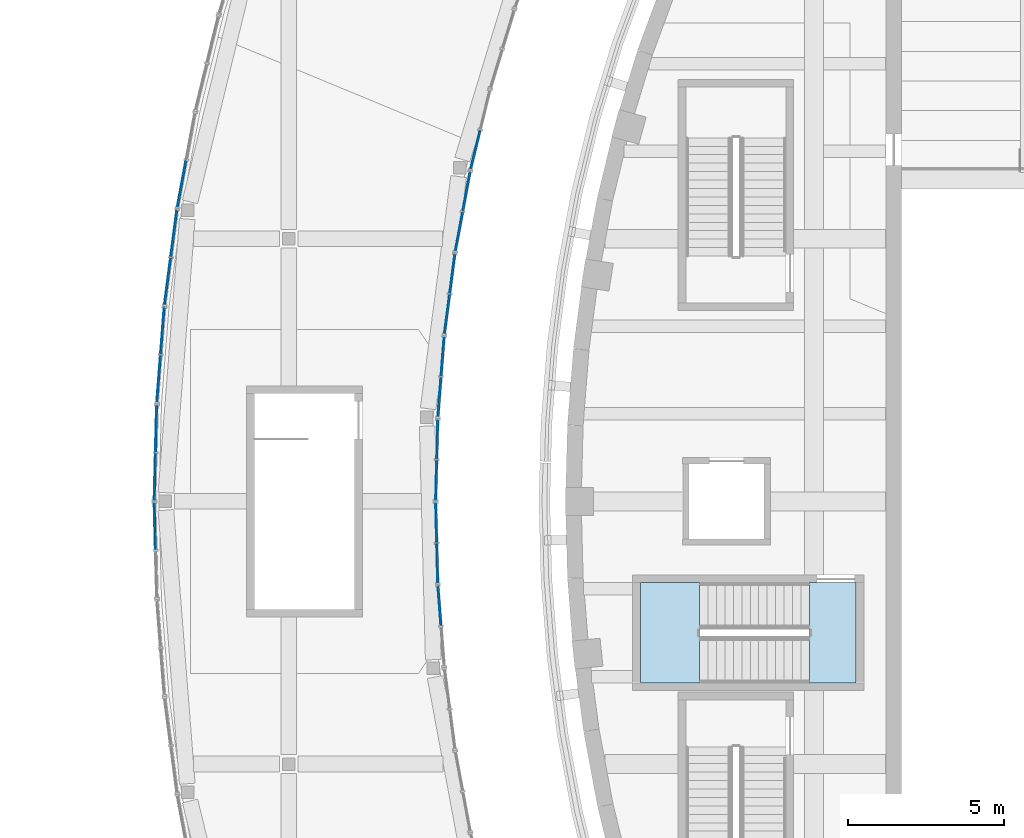
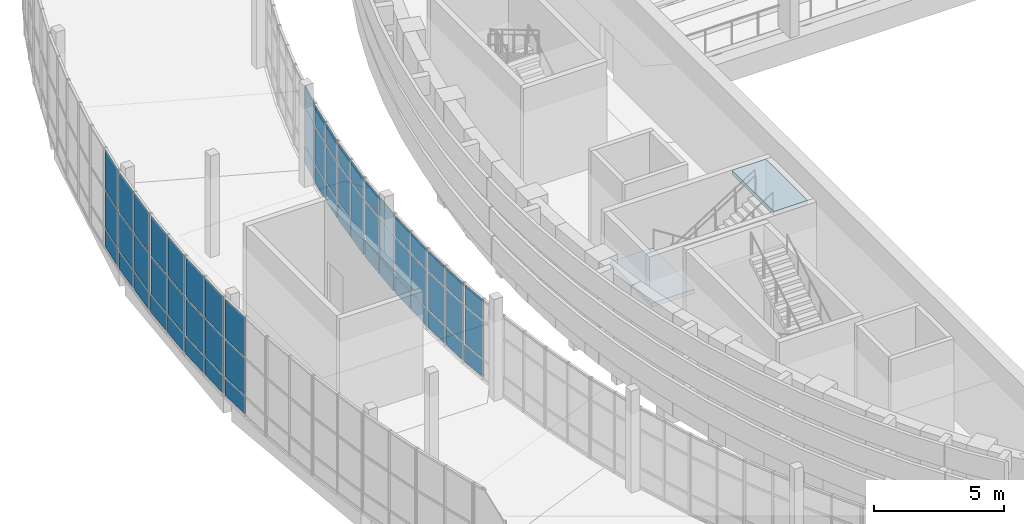
# One storey, part 40 of 103: 60 plates, 2 slabs, 13 elements without a shape of their own.
"""IFC4 building model written with IfcOpenShell, lengths in metres."""

from ifc_helpers import new_model, si_unit, direction, frame, origin, origin_2d, place, context, subcontext, project, spatial, polyline, rectangle, outline, extrude, material, layer, layer_set, type_object, element, aggregate, save


model = new_model("IFC4")

# Units and contexts
model_context = context("Model", 3, precision=1e-05, world=origin(), true_north=direction((0.0, 1.0)))
body_context = subcontext(model_context, "Body", "Model", "MODEL_VIEW")
ifc_project = project(units=[si_unit("LENGTHUNIT", "METRE"), si_unit("AREAUNIT", "SQUARE_METRE"), si_unit("VOLUMEUNIT", "CUBIC_METRE"), si_unit("PLANEANGLEUNIT", "RADIAN"), si_unit("MASSUNIT", "GRAM", prefix="KILO")], contexts=[model_context])

# Site, building, storey
site_placement = place(None, origin())
site = spatial("IfcSite", under=ifc_project, at=site_placement, CompositionType="ELEMENT")
building_placement = place(site_placement, origin())
building = spatial("IfcBuilding", under=site, at=building_placement, Name="Larchfold Concert Hall", CompositionType="ELEMENT")
storey_placement = place(building_placement, frame((0.0, 0.0, 9.60009765625)))
storey = spatial("IfcBuildingStorey", under=building, at=storey_placement, Name="L02", CompositionType="ELEMENT", Elevation=9.60009765625)

# Curtain wall, plates
ifc_material_1 = material(Name="Anodised graphite aluminium curtain wall", Category="aluminium")
ifc_layer_1 = layer(ifc_material_1, 0.14990234375)
ifc_layer_set_1 = layer_set([ifc_layer_1], Name="Anodised graphite aluminium curtain wall")
curtain_wall_type = type_object("IfcCurtainWallType", Name="Curtain wall WG", PredefinedType="NOTDEFINED", material=ifc_layer_set_1)
curtain_wall_1_placement = place(storey_placement, origin())
curtain_wall_1 = element("IfcCurtainWall", 1, at=curtain_wall_1_placement, inside=storey, type_object=curtain_wall_type, Name="Curtain wall CW0222", PredefinedType="NOTDEFINED")
ifc_material_2 = material(Name="Insulated glazing unit, glass", Category="glass")
ifc_layer_2 = layer(ifc_material_2, 0.028076171875)
ifc_layer_set_2 = layer_set([ifc_layer_2], Name="Insulated glazing unit, glass")
plate_type_1 = type_object("IfcPlateType", Name="Glass panel 28", PredefinedType="CURTAIN_PANEL", material=ifc_layer_set_2)
plate_1_placement = place(storey_placement, frame((13.820068359375, 81.2607421875, 0.93994140625), z_axis=(0.0, 0.0, 1.0), x_axis=(-0.07755168544, 0.996988332974, 0.0)))
plate_1 = element("IfcPlate", 2, at=plate_1_placement, type_object=plate_type_1, Name="CW0222 panel 2.2", PredefinedType="CURTAIN_PANEL", context=body_context, shape_type="SweptSolid", body=[
    extrude(rectangle(XDim=1.24169921875, YDim=0.028076171875, at=origin_2d()), origin(), (0.0, 0.0, 1.0), 1.719970703125),
])
plate_2_placement = place(storey_placement, frame((13.820068359375, 81.2607421875, 2.740234375), z_axis=(0.0, 0.0, 1.0), x_axis=(-0.07755168544, 0.996988332974, 0.0)))
plate_2 = element("IfcPlate", 3, at=plate_2_placement, type_object=plate_type_1, Name="CW0222 panel 2.3", PredefinedType="CURTAIN_PANEL", context=body_context, shape_type="SweptSolid", body=[
    extrude(rectangle(XDim=1.24169921875, YDim=0.028076171875, at=origin_2d()), origin(), (0.0, 0.0, 1.0), 0.929931640625),
])

curtain_wall_2_placement = place(storey_placement, origin())
curtain_wall_2 = element("IfcCurtainWall", 4, at=curtain_wall_2_placement, inside=storey, type_object=curtain_wall_type, Name="Curtain wall CW0223", PredefinedType="NOTDEFINED")
plate_3_placement = place(storey_placement, frame((13.749755859375, 82.61962890625, 0.93994140625), z_axis=(0.0, 0.0, 1.0), x_axis=(-0.02577598033, 0.999667744222, 0.0)))
plate_3 = element("IfcPlate", 5, at=plate_3_placement, type_object=plate_type_1, Name="CW0223 panel 1.2", PredefinedType="CURTAIN_PANEL", context=body_context, shape_type="SweptSolid", body=[
    extrude(rectangle(XDim=1.24072265625, YDim=0.028076171875, at=origin_2d()), origin(), (0.0, 0.0, 1.0), 1.719970703125),
])
plate_4_placement = place(storey_placement, frame((13.749755859375, 82.61962890625, 2.740234375), z_axis=(0.0, 0.0, 1.0), x_axis=(-0.02577598033, 0.999667744222, 0.0)))
plate_4 = element("IfcPlate", 6, at=plate_4_placement, type_object=plate_type_1, Name="CW0223 panel 1.3", PredefinedType="CURTAIN_PANEL", context=body_context, shape_type="SweptSolid", body=[
    extrude(rectangle(XDim=1.24072265625, YDim=0.028076171875, at=origin_2d()), origin(), (0.0, 0.0, 1.0), 0.929931640625),
])
plate_5_placement = place(storey_placement, frame((13.71630859375, 83.919921875, 0.93994140625), z_axis=(0.0, 0.0, 1.0), x_axis=(-0.02577598033, 0.999667744222, 0.0)))
plate_5 = element("IfcPlate", 7, at=plate_5_placement, type_object=plate_type_1, Name="CW0223 panel 2.2", PredefinedType="CURTAIN_PANEL", context=body_context, shape_type="SweptSolid", body=[
    extrude(rectangle(XDim=1.24072265625, YDim=0.028076171875, at=origin_2d()), origin(), (0.0, 0.0, 1.0), 1.719970703125),
])
plate_6_placement = place(storey_placement, frame((13.71630859375, 83.919921875, 2.740234375), z_axis=(0.0, 0.0, 1.0), x_axis=(-0.02577598033, 0.999667744222, 0.0)))
plate_6 = element("IfcPlate", 8, at=plate_6_placement, type_object=plate_type_1, Name="CW0223 panel 2.3", PredefinedType="CURTAIN_PANEL", context=body_context, shape_type="SweptSolid", body=[
    extrude(rectangle(XDim=1.24072265625, YDim=0.028076171875, at=origin_2d()), origin(), (0.0, 0.0, 1.0), 0.929931640625),
])

curtain_wall_3_placement = place(storey_placement, origin())
curtain_wall_3 = element("IfcCurtainWall", 9, at=curtain_wall_3_placement, inside=storey, type_object=curtain_wall_type, Name="Curtain wall CW0224", PredefinedType="NOTDEFINED")
plate_7_placement = place(storey_placement, frame((13.71630859375, 85.2802734375, 0.93994140625), z_axis=(0.0, 0.0, 1.0), x_axis=(0.025775980313, 0.999667744223, 0.0)))
plate_7 = element("IfcPlate", 10, at=plate_7_placement, type_object=plate_type_1, Name="CW0224 panel 1.2", PredefinedType="CURTAIN_PANEL", context=body_context, shape_type="SweptSolid", body=[
    extrude(rectangle(XDim=1.24072265625, YDim=0.028076171875, at=origin_2d()), origin(), (0.0, 0.0, 1.0), 1.719970703125),
])
plate_8_placement = place(storey_placement, frame((13.71630859375, 85.2802734375, 2.740234375), z_axis=(0.0, 0.0, 1.0), x_axis=(0.025775980313, 0.999667744223, 0.0)))
plate_8 = element("IfcPlate", 11, at=plate_8_placement, type_object=plate_type_1, Name="CW0224 panel 1.3", PredefinedType="CURTAIN_PANEL", context=body_context, shape_type="SweptSolid", body=[
    extrude(rectangle(XDim=1.24072265625, YDim=0.028076171875, at=origin_2d()), origin(), (0.0, 0.0, 1.0), 0.929931640625),
])
plate_9_placement = place(storey_placement, frame((13.749755859375, 86.58056640625, 0.93994140625), z_axis=(0.0, 0.0, 1.0), x_axis=(0.025775980313, 0.999667744223, 0.0)))
plate_9 = element("IfcPlate", 12, at=plate_9_placement, type_object=plate_type_1, Name="CW0224 panel 2.2", PredefinedType="CURTAIN_PANEL", context=body_context, shape_type="SweptSolid", body=[
    extrude(rectangle(XDim=1.24072265625, YDim=0.028076171875, at=origin_2d()), origin(), (0.0, 0.0, 1.0), 1.719970703125),
])
plate_10_placement = place(storey_placement, frame((13.749755859375, 86.58056640625, 2.740234375), z_axis=(0.0, 0.0, 1.0), x_axis=(0.025775980313, 0.999667744223, 0.0)))
plate_10 = element("IfcPlate", 13, at=plate_10_placement, type_object=plate_type_1, Name="CW0224 panel 2.3", PredefinedType="CURTAIN_PANEL", context=body_context, shape_type="SweptSolid", body=[
    extrude(rectangle(XDim=1.24072265625, YDim=0.028076171875, at=origin_2d()), origin(), (0.0, 0.0, 1.0), 0.929931640625),
])

curtain_wall_4_placement = place(storey_placement, origin())
curtain_wall_4 = element("IfcCurtainWall", 14, at=curtain_wall_4_placement, inside=storey, type_object=curtain_wall_type, Name="Curtain wall CW0225", PredefinedType="NOTDEFINED")
plate_11_placement = place(storey_placement, frame((13.820068359375, 87.939453125, 0.93994140625), z_axis=(0.0, 0.0, 1.0), x_axis=(0.07755168544, 0.996988332974, 0.0)))
plate_11 = element("IfcPlate", 15, at=plate_11_placement, type_object=plate_type_1, Name="CW0225 panel 1.2", PredefinedType="CURTAIN_PANEL", context=body_context, shape_type="SweptSolid", body=[
    extrude(rectangle(XDim=1.24169921875, YDim=0.028076171875, at=origin_2d()), origin(), (0.0, 0.0, 1.0), 1.719970703125),
])
plate_12_placement = place(storey_placement, frame((13.820068359375, 87.939453125, 2.740234375), z_axis=(0.0, 0.0, 1.0), x_axis=(0.07755168544, 0.996988332974, 0.0)))
plate_12 = element("IfcPlate", 16, at=plate_12_placement, type_object=plate_type_1, Name="CW0225 panel 1.3", PredefinedType="CURTAIN_PANEL", context=body_context, shape_type="SweptSolid", body=[
    extrude(rectangle(XDim=1.24169921875, YDim=0.028076171875, at=origin_2d()), origin(), (0.0, 0.0, 1.0), 0.929931640625),
])
plate_13_placement = place(storey_placement, frame((13.921142578125, 89.2373046875, 0.93994140625), z_axis=(0.0, 0.0, 1.0), x_axis=(0.07755168544, 0.996988332974, 0.0)))
plate_13 = element("IfcPlate", 17, at=plate_13_placement, type_object=plate_type_1, Name="CW0225 panel 2.2", PredefinedType="CURTAIN_PANEL", context=body_context, shape_type="SweptSolid", body=[
    extrude(rectangle(XDim=1.24169921875, YDim=0.028076171875, at=origin_2d()), origin(), (0.0, 0.0, 1.0), 1.719970703125),
])
plate_14_placement = place(storey_placement, frame((13.921142578125, 89.2373046875, 2.740234375), z_axis=(0.0, 0.0, 1.0), x_axis=(0.07755168544, 0.996988332974, 0.0)))
plate_14 = element("IfcPlate", 18, at=plate_14_placement, type_object=plate_type_1, Name="CW0225 panel 2.3", PredefinedType="CURTAIN_PANEL", context=body_context, shape_type="SweptSolid", body=[
    extrude(rectangle(XDim=1.24169921875, YDim=0.028076171875, at=origin_2d()), origin(), (0.0, 0.0, 1.0), 0.929931640625),
])

curtain_wall_5_placement = place(storey_placement, origin())
curtain_wall_5 = element("IfcCurtainWall", 19, at=curtain_wall_5_placement, inside=storey, type_object=curtain_wall_type, Name="Curtain wall CW0226", PredefinedType="NOTDEFINED")
plate_15_placement = place(storey_placement, frame((14.062255859375, 90.591796875, 0.93994140625), z_axis=(0.0, 0.0, 1.0), x_axis=(0.129644480836, 0.991560542069, 0.0)))
plate_15 = element("IfcPlate", 20, at=plate_15_placement, type_object=plate_type_1, Name="CW0226 panel 1.2", PredefinedType="CURTAIN_PANEL", context=body_context, shape_type="SweptSolid", body=[
    extrude(rectangle(XDim=1.2431640625, YDim=0.028076171875, at=origin_2d()), origin(), (0.0, 0.0, 1.0), 1.719970703125),
])
plate_16_placement = place(storey_placement, frame((14.062255859375, 90.591796875, 2.740234375), z_axis=(0.0, 0.0, 1.0), x_axis=(0.129644480836, 0.991560542069, 0.0)))
plate_16 = element("IfcPlate", 21, at=plate_16_placement, type_object=plate_type_1, Name="CW0226 panel 1.3", PredefinedType="CURTAIN_PANEL", context=body_context, shape_type="SweptSolid", body=[
    extrude(rectangle(XDim=1.2431640625, YDim=0.028076171875, at=origin_2d()), origin(), (0.0, 0.0, 1.0), 0.929931640625),
])
plate_17_placement = place(storey_placement, frame((14.231201171875, 91.88427734375, 0.93994140625), z_axis=(0.0, 0.0, 1.0), x_axis=(0.129644480836, 0.991560542069, 0.0)))
plate_17 = element("IfcPlate", 22, at=plate_17_placement, type_object=plate_type_1, Name="CW0226 panel 2.2", PredefinedType="CURTAIN_PANEL", context=body_context, shape_type="SweptSolid", body=[
    extrude(rectangle(XDim=1.2431640625, YDim=0.028076171875, at=origin_2d()), origin(), (0.0, 0.0, 1.0), 1.719970703125),
])
plate_18_placement = place(storey_placement, frame((14.231201171875, 91.88427734375, 2.740234375), z_axis=(0.0, 0.0, 1.0), x_axis=(0.129644480836, 0.991560542069, 0.0)))
plate_18 = element("IfcPlate", 23, at=plate_18_placement, type_object=plate_type_1, Name="CW0226 panel 2.3", PredefinedType="CURTAIN_PANEL", context=body_context, shape_type="SweptSolid", body=[
    extrude(rectangle(XDim=1.2431640625, YDim=0.028076171875, at=origin_2d()), origin(), (0.0, 0.0, 1.0), 0.929931640625),
])

curtain_wall_6_placement = place(storey_placement, origin())
curtain_wall_6 = element("IfcCurtainWall", 24, at=curtain_wall_6_placement, inside=storey, type_object=curtain_wall_type, Name="Curtain wall CW0227", PredefinedType="NOTDEFINED")
plate_19_placement = place(storey_placement, frame((14.444091796875, 93.2314453125, 0.93994140625), z_axis=(0.0, 0.0, 1.0), x_axis=(0.182390289896, 0.983226211079, 0.0)))
plate_19 = element("IfcPlate", 25, at=plate_19_placement, type_object=plate_type_1, Name="CW0227 panel 1.2", PredefinedType="CURTAIN_PANEL", context=body_context, shape_type="SweptSolid", body=[
    extrude(rectangle(XDim=1.245849609375, YDim=0.028076171875, at=origin_2d()), origin(), (0.0, 0.0, 1.0), 1.719970703125),
])
plate_20_placement = place(storey_placement, frame((14.444091796875, 93.2314453125, 2.740234375), z_axis=(0.0, 0.0, 1.0), x_axis=(0.182390289896, 0.983226211079, 0.0)))
plate_20 = element("IfcPlate", 26, at=plate_20_placement, type_object=plate_type_1, Name="CW0227 panel 1.3", PredefinedType="CURTAIN_PANEL", context=body_context, shape_type="SweptSolid", body=[
    extrude(rectangle(XDim=1.245849609375, YDim=0.028076171875, at=origin_2d()), origin(), (0.0, 0.0, 1.0), 0.929931640625),
])
plate_21_placement = place(storey_placement, frame((14.682373046875, 94.515625, 0.93994140625), z_axis=(0.0, 0.0, 1.0), x_axis=(0.182390289896, 0.983226211079, 0.0)))
plate_21 = element("IfcPlate", 27, at=plate_21_placement, type_object=plate_type_1, Name="CW0227 panel 2.2", PredefinedType="CURTAIN_PANEL", context=body_context, shape_type="SweptSolid", body=[
    extrude(rectangle(XDim=1.245849609375, YDim=0.028076171875, at=origin_2d()), origin(), (0.0, 0.0, 1.0), 1.719970703125),
])
plate_22_placement = place(storey_placement, frame((14.682373046875, 94.515625, 2.740234375), z_axis=(0.0, 0.0, 1.0), x_axis=(0.182390289896, 0.983226211079, 0.0)))
plate_22 = element("IfcPlate", 28, at=plate_22_placement, type_object=plate_type_1, Name="CW0227 panel 2.3", PredefinedType="CURTAIN_PANEL", context=body_context, shape_type="SweptSolid", body=[
    extrude(rectangle(XDim=1.245849609375, YDim=0.028076171875, at=origin_2d()), origin(), (0.0, 0.0, 1.0), 0.929931640625),
])

curtain_wall_7_placement = place(storey_placement, origin())
curtain_wall_7 = element("IfcCurtainWall", 29, at=curtain_wall_7_placement, inside=storey, type_object=curtain_wall_type, Name="Curtain wall CW0228", PredefinedType="NOTDEFINED")
plate_23_placement = place(storey_placement, frame((14.968505859375, 95.8525390625, 0.93994140625), z_axis=(0.0, 0.0, 1.0), x_axis=(0.235926027973, 0.97177101692, 0.0)))
plate_23 = element("IfcPlate", 30, at=plate_23_placement, type_object=plate_type_1, Name="CW0228 panel 1.2", PredefinedType="CURTAIN_PANEL", context=body_context, shape_type="SweptSolid", body=[
    extrude(rectangle(XDim=1.24951171875, YDim=0.028076171875, at=origin_2d()), origin(), (0.0, 0.0, 1.0), 1.719970703125),
])
plate_24_placement = place(storey_placement, frame((14.968505859375, 95.8525390625, 2.740234375), z_axis=(0.0, 0.0, 1.0), x_axis=(0.235926027973, 0.97177101692, 0.0)))
plate_24 = element("IfcPlate", 31, at=plate_24_placement, type_object=plate_type_1, Name="CW0228 panel 1.3", PredefinedType="CURTAIN_PANEL", context=body_context, shape_type="SweptSolid", body=[
    extrude(rectangle(XDim=1.24951171875, YDim=0.028076171875, at=origin_2d()), origin(), (0.0, 0.0, 1.0), 0.929931640625),
])

curtain_wall_8_placement = place(storey_placement, origin())
curtain_wall_8 = element("IfcCurtainWall", 32, at=curtain_wall_8_placement, inside=storey, type_object=curtain_wall_type, Name="Curtain wall CW0270", PredefinedType="NOTDEFINED")
plate_25_placement = place(storey_placement, frame((5.573486328125, 94.75634765625, 0.93994140625), z_axis=(0.0, 0.0, 1.0), x_axis=(-0.182346675908, -0.983234300554, 0.0)))
plate_25 = element("IfcPlate", 33, at=plate_25_placement, type_object=plate_type_1, Name="CW0270 panel 2.2", PredefinedType="CURTAIN_PANEL", context=body_context, shape_type="SweptSolid", body=[
    extrude(rectangle(XDim=1.4892578125, YDim=0.028076171875, at=origin_2d()), origin(), (0.0, 0.0, 1.0), 1.719970703125),
])
plate_26_placement = place(storey_placement, frame((5.573486328125, 94.75634765625, 2.740234375), z_axis=(0.0, 0.0, 1.0), x_axis=(-0.182346675908, -0.983234300554, 0.0)))
plate_26 = element("IfcPlate", 34, at=plate_26_placement, type_object=plate_type_1, Name="CW0270 panel 2.3", PredefinedType="CURTAIN_PANEL", context=body_context, shape_type="SweptSolid", body=[
    extrude(rectangle(XDim=1.4892578125, YDim=0.028076171875, at=origin_2d()), origin(), (0.0, 0.0, 1.0), 1.829833984375),
])

curtain_wall_9_placement = place(storey_placement, origin())
curtain_wall_9 = element("IfcCurtainWall", 35, at=curtain_wall_9_placement, inside=storey, type_object=curtain_wall_type, Name="Curtain wall CW0271", PredefinedType="NOTDEFINED")
plate_27_placement = place(storey_placement, frame((5.322998046875, 93.17138671875, 0.93994140625), z_axis=(0.0, 0.0, 1.0), x_axis=(-0.129731055509, -0.991549218767, 0.0)))
plate_27 = element("IfcPlate", 36, at=plate_27_placement, type_object=plate_type_1, Name="CW0271 panel 1.2", PredefinedType="CURTAIN_PANEL", context=body_context, shape_type="SweptSolid", body=[
    extrude(rectangle(XDim=1.4814453125, YDim=0.028076171875, at=origin_2d()), origin(), (0.0, 0.0, 1.0), 1.719970703125),
])
plate_28_placement = place(storey_placement, frame((5.322998046875, 93.17138671875, 2.740234375), z_axis=(0.0, 0.0, 1.0), x_axis=(-0.129731055509, -0.991549218767, 0.0)))
plate_28 = element("IfcPlate", 37, at=plate_28_placement, type_object=plate_type_1, Name="CW0271 panel 1.3", PredefinedType="CURTAIN_PANEL", context=body_context, shape_type="SweptSolid", body=[
    extrude(rectangle(XDim=1.4814453125, YDim=0.028076171875, at=origin_2d()), origin(), (0.0, 0.0, 1.0), 1.829833984375),
])
plate_29_placement = place(storey_placement, frame((5.122802734375, 91.64306640625, 0.93994140625), z_axis=(0.0, 0.0, 1.0), x_axis=(-0.129731055509, -0.991549218767, 0.0)))
plate_29 = element("IfcPlate", 38, at=plate_29_placement, type_object=plate_type_1, Name="CW0271 panel 2.2", PredefinedType="CURTAIN_PANEL", context=body_context, shape_type="SweptSolid", body=[
    extrude(rectangle(XDim=1.4814453125, YDim=0.028076171875, at=origin_2d()), origin(), (0.0, 0.0, 1.0), 1.719970703125),
])
plate_30_placement = place(storey_placement, frame((5.122802734375, 91.64306640625, 2.740234375), z_axis=(0.0, 0.0, 1.0), x_axis=(-0.129731055509, -0.991549218767, 0.0)))
plate_30 = element("IfcPlate", 39, at=plate_30_placement, type_object=plate_type_1, Name="CW0271 panel 2.3", PredefinedType="CURTAIN_PANEL", context=body_context, shape_type="SweptSolid", body=[
    extrude(rectangle(XDim=1.4814453125, YDim=0.028076171875, at=origin_2d()), origin(), (0.0, 0.0, 1.0), 1.829833984375),
])

curtain_wall_10_placement = place(storey_placement, origin())
curtain_wall_10 = element("IfcCurtainWall", 40, at=curtain_wall_10_placement, inside=storey, type_object=curtain_wall_type, Name="Curtain wall CW0272", PredefinedType="NOTDEFINED")
plate_31_placement = place(storey_placement, frame((4.957275390625, 90.05322265625, 0.93994140625), z_axis=(0.0, 0.0, 1.0), x_axis=(-0.077465260721, -0.996995051834, 0.0)))
plate_31 = element("IfcPlate", 41, at=plate_31_placement, type_object=plate_type_1, Name="CW0272 panel 1.2", PredefinedType="CURTAIN_PANEL", context=body_context, shape_type="SweptSolid", body=[
    extrude(rectangle(XDim=1.476318359375, YDim=0.028076171875, at=origin_2d()), origin(), (0.0, 0.0, 1.0), 1.719970703125),
])
plate_32_placement = place(storey_placement, frame((4.957275390625, 90.05322265625, 2.740234375), z_axis=(0.0, 0.0, 1.0), x_axis=(-0.077465260721, -0.996995051834, 0.0)))
plate_32 = element("IfcPlate", 42, at=plate_32_placement, type_object=plate_type_1, Name="CW0272 panel 1.3", PredefinedType="CURTAIN_PANEL", context=body_context, shape_type="SweptSolid", body=[
    extrude(rectangle(XDim=1.476318359375, YDim=0.028076171875, at=origin_2d()), origin(), (0.0, 0.0, 1.0), 1.829833984375),
])
plate_33_placement = place(storey_placement, frame((4.838134765625, 88.521728515625, 0.93994140625), z_axis=(0.0, 0.0, 1.0), x_axis=(-0.077465260721, -0.996995051834, 0.0)))
plate_33 = element("IfcPlate", 43, at=plate_33_placement, type_object=plate_type_1, Name="CW0272 panel 2.2", PredefinedType="CURTAIN_PANEL", context=body_context, shape_type="SweptSolid", body=[
    extrude(rectangle(XDim=1.476318359375, YDim=0.028076171875, at=origin_2d()), origin(), (0.0, 0.0, 1.0), 1.719970703125),
])
plate_34_placement = place(storey_placement, frame((4.838134765625, 88.521728515625, 2.740234375), z_axis=(0.0, 0.0, 1.0), x_axis=(-0.077465260721, -0.996995051834, 0.0)))
plate_34 = element("IfcPlate", 44, at=plate_34_placement, type_object=plate_type_1, Name="CW0272 panel 2.3", PredefinedType="CURTAIN_PANEL", context=body_context, shape_type="SweptSolid", body=[
    extrude(rectangle(XDim=1.476318359375, YDim=0.028076171875, at=origin_2d()), origin(), (0.0, 0.0, 1.0), 1.829833984375),
])

curtain_wall_11_placement = place(storey_placement, origin())
curtain_wall_11 = element("IfcCurtainWall", 45, at=curtain_wall_11_placement, inside=storey, type_object=curtain_wall_type, Name="Curtain wall CW0273", PredefinedType="NOTDEFINED")
plate_35_placement = place(storey_placement, frame((4.755859375, 86.929443359375, 0.93994140625), z_axis=(0.0, 0.0, 1.0), x_axis=(-0.025844679897, -0.999665970473, 0.0)))
plate_35 = element("IfcPlate", 46, at=plate_35_placement, type_object=plate_type_1, Name="CW0273 panel 1.2", PredefinedType="CURTAIN_PANEL", context=body_context, shape_type="SweptSolid", body=[
    extrude(rectangle(XDim=1.473388671875, YDim=0.028076171875, at=origin_2d()), origin(), (0.0, 0.0, 1.0), 1.719970703125),
])
plate_36_placement = place(storey_placement, frame((4.755859375, 86.929443359375, 2.740234375), z_axis=(0.0, 0.0, 1.0), x_axis=(-0.025844679897, -0.999665970473, 0.0)))
plate_36 = element("IfcPlate", 47, at=plate_36_placement, type_object=plate_type_1, Name="CW0273 panel 1.3", PredefinedType="CURTAIN_PANEL", context=body_context, shape_type="SweptSolid", body=[
    extrude(rectangle(XDim=1.473388671875, YDim=0.028076171875, at=origin_2d()), origin(), (0.0, 0.0, 1.0), 1.829833984375),
])
plate_37_placement = place(storey_placement, frame((4.716064453125, 85.396484375, 0.93994140625), z_axis=(0.0, 0.0, 1.0), x_axis=(-0.025844679897, -0.999665970473, 0.0)))
plate_37 = element("IfcPlate", 48, at=plate_37_placement, type_object=plate_type_1, Name="CW0273 panel 2.2", PredefinedType="CURTAIN_PANEL", context=body_context, shape_type="SweptSolid", body=[
    extrude(rectangle(XDim=1.473388671875, YDim=0.028076171875, at=origin_2d()), origin(), (0.0, 0.0, 1.0), 1.719970703125),
])
plate_38_placement = place(storey_placement, frame((4.716064453125, 85.396484375, 2.740234375), z_axis=(0.0, 0.0, 1.0), x_axis=(-0.025844679897, -0.999665970473, 0.0)))
plate_38 = element("IfcPlate", 49, at=plate_38_placement, type_object=plate_type_1, Name="CW0273 panel 2.3", PredefinedType="CURTAIN_PANEL", context=body_context, shape_type="SweptSolid", body=[
    extrude(rectangle(XDim=1.473388671875, YDim=0.028076171875, at=origin_2d()), origin(), (0.0, 0.0, 1.0), 1.829833984375),
])

curtain_wall_12_placement = place(storey_placement, origin())
curtain_wall_12 = element("IfcCurtainWall", 50, at=curtain_wall_12_placement, inside=storey, type_object=curtain_wall_type, Name="Curtain wall CW0274", PredefinedType="NOTDEFINED")
plate_39_placement = place(storey_placement, frame((4.716064453125, 83.8037109375, 0.93994140625), z_axis=(0.0, 0.0, 1.0), x_axis=(0.025844679897, -0.999665970473, 0.0)))
plate_39 = element("IfcPlate", 51, at=plate_39_placement, type_object=plate_type_1, Name="CW0274 panel 1.2", PredefinedType="CURTAIN_PANEL", context=body_context, shape_type="SweptSolid", body=[
    extrude(rectangle(XDim=1.473388671875, YDim=0.028076171875, at=origin_2d()), origin(), (0.0, 0.0, 1.0), 1.719970703125),
])
plate_40_placement = place(storey_placement, frame((4.716064453125, 83.8037109375, 2.740234375), z_axis=(0.0, 0.0, 1.0), x_axis=(0.025844679897, -0.999665970473, 0.0)))
plate_40 = element("IfcPlate", 52, at=plate_40_placement, type_object=plate_type_1, Name="CW0274 panel 1.3", PredefinedType="CURTAIN_PANEL", context=body_context, shape_type="SweptSolid", body=[
    extrude(rectangle(XDim=1.473388671875, YDim=0.028076171875, at=origin_2d()), origin(), (0.0, 0.0, 1.0), 1.829833984375),
])

# Plate
ifc_material_3 = material(Name="White insulated panel")
ifc_layer_3 = layer(ifc_material_3, 0.06005859375)
ifc_layer_set_3 = layer_set([ifc_layer_3], Name="White insulated panel")
plate_type_2 = type_object("IfcPlateType", Name="Insulated spandrel panel 60", PredefinedType="CURTAIN_PANEL", material=ifc_layer_set_3)
plate_41_placement = place(storey_placement, frame((13.820068359375, 81.2607421875, 0.080078125), z_axis=(0.0, 0.0, 1.0), x_axis=(-0.07755168544, 0.996988332974, 0.0)))
plate_41 = element("IfcPlate", 53, at=plate_41_placement, type_object=plate_type_2, Name="CW0222 panel 2.1", PredefinedType="CURTAIN_PANEL", context=body_context, shape_type="SweptSolid", body=[
    extrude(rectangle(XDim=1.24169921875, YDim=0.06005859375, at=origin_2d()), origin(), (0.0, 0.0, 1.0), 0.77978515625),
])

aggregate(curtain_wall_1, [plate_41, plate_1, plate_2])

plate_42_placement = place(storey_placement, frame((13.749755859375, 82.61962890625, 0.080078125), z_axis=(0.0, 0.0, 1.0), x_axis=(-0.02577598033, 0.999667744222, 0.0)))
plate_42 = element("IfcPlate", 54, at=plate_42_placement, type_object=plate_type_2, Name="CW0223 panel 1.1", PredefinedType="CURTAIN_PANEL", context=body_context, shape_type="SweptSolid", body=[
    extrude(rectangle(XDim=1.24072265625, YDim=0.06005859375, at=origin_2d()), origin(), (0.0, 0.0, 1.0), 0.77978515625),
])

plate_43_placement = place(storey_placement, frame((13.71630859375, 83.919921875, 0.080078125), z_axis=(0.0, 0.0, 1.0), x_axis=(-0.02577598033, 0.999667744222, 0.0)))
plate_43 = element("IfcPlate", 55, at=plate_43_placement, type_object=plate_type_2, Name="CW0223 panel 2.1", PredefinedType="CURTAIN_PANEL", context=body_context, shape_type="SweptSolid", body=[
    extrude(rectangle(XDim=1.24072265625, YDim=0.06005859375, at=origin_2d()), origin(), (0.0, 0.0, 1.0), 0.77978515625),
])

aggregate(curtain_wall_2, [plate_42, plate_3, plate_4, plate_43, plate_5, plate_6])

plate_44_placement = place(storey_placement, frame((13.71630859375, 85.2802734375, 0.080078125), z_axis=(0.0, 0.0, 1.0), x_axis=(0.025775980313, 0.999667744223, 0.0)))
plate_44 = element("IfcPlate", 56, at=plate_44_placement, type_object=plate_type_2, Name="CW0224 panel 1.1", PredefinedType="CURTAIN_PANEL", context=body_context, shape_type="SweptSolid", body=[
    extrude(rectangle(XDim=1.24072265625, YDim=0.06005859375, at=origin_2d()), origin(), (0.0, 0.0, 1.0), 0.77978515625),
])

plate_45_placement = place(storey_placement, frame((13.749755859375, 86.58056640625, 0.080078125), z_axis=(0.0, 0.0, 1.0), x_axis=(0.025775980313, 0.999667744223, 0.0)))
plate_45 = element("IfcPlate", 57, at=plate_45_placement, type_object=plate_type_2, Name="CW0224 panel 2.1", PredefinedType="CURTAIN_PANEL", context=body_context, shape_type="SweptSolid", body=[
    extrude(rectangle(XDim=1.24072265625, YDim=0.06005859375, at=origin_2d()), origin(), (0.0, 0.0, 1.0), 0.77978515625),
])

aggregate(curtain_wall_3, [plate_44, plate_7, plate_8, plate_45, plate_9, plate_10])

plate_46_placement = place(storey_placement, frame((13.820068359375, 87.939453125, 0.080078125), z_axis=(0.0, 0.0, 1.0), x_axis=(0.07755168544, 0.996988332974, 0.0)))
plate_46 = element("IfcPlate", 58, at=plate_46_placement, type_object=plate_type_2, Name="CW0225 panel 1.1", PredefinedType="CURTAIN_PANEL", context=body_context, shape_type="SweptSolid", body=[
    extrude(rectangle(XDim=1.24169921875, YDim=0.06005859375, at=origin_2d()), origin(), (0.0, 0.0, 1.0), 0.77978515625),
])

plate_47_placement = place(storey_placement, frame((13.921142578125, 89.2373046875, 0.080078125), z_axis=(0.0, 0.0, 1.0), x_axis=(0.07755168544, 0.996988332974, 0.0)))
plate_47 = element("IfcPlate", 59, at=plate_47_placement, type_object=plate_type_2, Name="CW0225 panel 2.1", PredefinedType="CURTAIN_PANEL", context=body_context, shape_type="SweptSolid", body=[
    extrude(rectangle(XDim=1.24169921875, YDim=0.06005859375, at=origin_2d()), origin(), (0.0, 0.0, 1.0), 0.77978515625),
])

aggregate(curtain_wall_4, [plate_46, plate_11, plate_12, plate_47, plate_13, plate_14])

plate_48_placement = place(storey_placement, frame((14.062255859375, 90.591796875, 0.080078125), z_axis=(0.0, 0.0, 1.0), x_axis=(0.129644480836, 0.991560542069, 0.0)))
plate_48 = element("IfcPlate", 60, at=plate_48_placement, type_object=plate_type_2, Name="CW0226 panel 1.1", PredefinedType="CURTAIN_PANEL", context=body_context, shape_type="SweptSolid", body=[
    extrude(rectangle(XDim=1.2431640625, YDim=0.06005859375, at=origin_2d()), origin(), (0.0, 0.0, 1.0), 0.77978515625),
])

plate_49_placement = place(storey_placement, frame((14.231201171875, 91.88427734375, 0.080078125), z_axis=(0.0, 0.0, 1.0), x_axis=(0.129644480836, 0.991560542069, 0.0)))
plate_49 = element("IfcPlate", 61, at=plate_49_placement, type_object=plate_type_2, Name="CW0226 panel 2.1", PredefinedType="CURTAIN_PANEL", context=body_context, shape_type="SweptSolid", body=[
    extrude(rectangle(XDim=1.2431640625, YDim=0.06005859375, at=origin_2d()), origin(), (0.0, 0.0, 1.0), 0.77978515625),
])

aggregate(curtain_wall_5, [plate_48, plate_15, plate_16, plate_49, plate_17, plate_18])

plate_50_placement = place(storey_placement, frame((14.444091796875, 93.2314453125, 0.080078125), z_axis=(0.0, 0.0, 1.0), x_axis=(0.182390289896, 0.983226211079, 0.0)))
plate_50 = element("IfcPlate", 62, at=plate_50_placement, type_object=plate_type_2, Name="CW0227 panel 1.1", PredefinedType="CURTAIN_PANEL", context=body_context, shape_type="SweptSolid", body=[
    extrude(rectangle(XDim=1.245849609375, YDim=0.06005859375, at=origin_2d()), origin(), (0.0, 0.0, 1.0), 0.77978515625),
])

plate_51_placement = place(storey_placement, frame((14.682373046875, 94.515625, 0.080078125), z_axis=(0.0, 0.0, 1.0), x_axis=(0.182390289896, 0.983226211079, 0.0)))
plate_51 = element("IfcPlate", 63, at=plate_51_placement, type_object=plate_type_2, Name="CW0227 panel 2.1", PredefinedType="CURTAIN_PANEL", context=body_context, shape_type="SweptSolid", body=[
    extrude(rectangle(XDim=1.245849609375, YDim=0.06005859375, at=origin_2d()), origin(), (0.0, 0.0, 1.0), 0.77978515625),
])

aggregate(curtain_wall_6, [plate_50, plate_19, plate_20, plate_51, plate_21, plate_22])

plate_52_placement = place(storey_placement, frame((14.968505859375, 95.8525390625, 0.080078125), z_axis=(0.0, 0.0, 1.0), x_axis=(0.235926027973, 0.97177101692, 0.0)))
plate_52 = element("IfcPlate", 64, at=plate_52_placement, type_object=plate_type_2, Name="CW0228 panel 1.1", PredefinedType="CURTAIN_PANEL", context=body_context, shape_type="SweptSolid", body=[
    extrude(rectangle(XDim=1.24951171875, YDim=0.06005859375, at=origin_2d()), origin(), (0.0, 0.0, 1.0), 0.77978515625),
])

aggregate(curtain_wall_7, [plate_52, plate_23, plate_24])

plate_53_placement = place(storey_placement, frame((5.573486328125, 94.75634765625, 0.080078125), z_axis=(0.0, 0.0, 1.0), x_axis=(-0.182346675908, -0.983234300554, 0.0)))
plate_53 = element("IfcPlate", 65, at=plate_53_placement, type_object=plate_type_2, Name="CW0270 panel 2.1", PredefinedType="CURTAIN_PANEL", context=body_context, shape_type="SweptSolid", body=[
    extrude(rectangle(XDim=1.4892578125, YDim=0.06005859375, at=origin_2d()), origin(), (0.0, 0.0, 1.0), 0.77978515625),
])

aggregate(curtain_wall_8, [plate_53, plate_25, plate_26])

plate_54_placement = place(storey_placement, frame((5.322998046875, 93.17138671875, 0.080078125), z_axis=(0.0, 0.0, 1.0), x_axis=(-0.129731055509, -0.991549218767, 0.0)))
plate_54 = element("IfcPlate", 66, at=plate_54_placement, type_object=plate_type_2, Name="CW0271 panel 1.1", PredefinedType="CURTAIN_PANEL", context=body_context, shape_type="SweptSolid", body=[
    extrude(rectangle(XDim=1.4814453125, YDim=0.06005859375, at=origin_2d()), origin(), (0.0, 0.0, 1.0), 0.77978515625),
])

plate_55_placement = place(storey_placement, frame((5.122802734375, 91.64306640625, 0.080078125), z_axis=(0.0, 0.0, 1.0), x_axis=(-0.129731055509, -0.991549218767, 0.0)))
plate_55 = element("IfcPlate", 67, at=plate_55_placement, type_object=plate_type_2, Name="CW0271 panel 2.1", PredefinedType="CURTAIN_PANEL", context=body_context, shape_type="SweptSolid", body=[
    extrude(rectangle(XDim=1.4814453125, YDim=0.06005859375, at=origin_2d()), origin(), (0.0, 0.0, 1.0), 0.77978515625),
])

aggregate(curtain_wall_9, [plate_54, plate_27, plate_28, plate_55, plate_29, plate_30])

plate_56_placement = place(storey_placement, frame((4.957275390625, 90.05322265625, 0.080078125), z_axis=(0.0, 0.0, 1.0), x_axis=(-0.077465260721, -0.996995051834, 0.0)))
plate_56 = element("IfcPlate", 68, at=plate_56_placement, type_object=plate_type_2, Name="CW0272 panel 1.1", PredefinedType="CURTAIN_PANEL", context=body_context, shape_type="SweptSolid", body=[
    extrude(rectangle(XDim=1.476318359375, YDim=0.06005859375, at=origin_2d()), origin(), (0.0, 0.0, 1.0), 0.77978515625),
])

plate_57_placement = place(storey_placement, frame((4.838134765625, 88.521728515625, 0.080078125), z_axis=(0.0, 0.0, 1.0), x_axis=(-0.077465260721, -0.996995051834, 0.0)))
plate_57 = element("IfcPlate", 69, at=plate_57_placement, type_object=plate_type_2, Name="CW0272 panel 2.1", PredefinedType="CURTAIN_PANEL", context=body_context, shape_type="SweptSolid", body=[
    extrude(rectangle(XDim=1.476318359375, YDim=0.06005859375, at=origin_2d()), origin(), (0.0, 0.0, 1.0), 0.77978515625),
])

aggregate(curtain_wall_10, [plate_56, plate_31, plate_32, plate_57, plate_33, plate_34])

plate_58_placement = place(storey_placement, frame((4.755859375, 86.929443359375, 0.080078125), z_axis=(0.0, 0.0, 1.0), x_axis=(-0.025844679897, -0.999665970473, 0.0)))
plate_58 = element("IfcPlate", 70, at=plate_58_placement, type_object=plate_type_2, Name="CW0273 panel 1.1", PredefinedType="CURTAIN_PANEL", context=body_context, shape_type="SweptSolid", body=[
    extrude(rectangle(XDim=1.473388671875, YDim=0.06005859375, at=origin_2d()), origin(), (0.0, 0.0, 1.0), 0.77978515625),
])

plate_59_placement = place(storey_placement, frame((4.716064453125, 85.396484375, 0.080078125), z_axis=(0.0, 0.0, 1.0), x_axis=(-0.025844679897, -0.999665970473, 0.0)))
plate_59 = element("IfcPlate", 71, at=plate_59_placement, type_object=plate_type_2, Name="CW0273 panel 2.1", PredefinedType="CURTAIN_PANEL", context=body_context, shape_type="SweptSolid", body=[
    extrude(rectangle(XDim=1.473388671875, YDim=0.06005859375, at=origin_2d()), origin(), (0.0, 0.0, 1.0), 0.77978515625),
])

aggregate(curtain_wall_11, [plate_58, plate_35, plate_36, plate_59, plate_37, plate_38])

plate_60_placement = place(storey_placement, frame((4.716064453125, 83.8037109375, 0.080078125), z_axis=(0.0, 0.0, 1.0), x_axis=(0.025844679897, -0.999665970473, 0.0)))
plate_60 = element("IfcPlate", 72, at=plate_60_placement, type_object=plate_type_2, Name="CW0274 panel 1.1", PredefinedType="CURTAIN_PANEL", context=body_context, shape_type="SweptSolid", body=[
    extrude(rectangle(XDim=1.473388671875, YDim=0.06005859375, at=origin_2d()), origin(), (0.0, 0.0, 1.0), 0.77978515625),
])

aggregate(curtain_wall_12, [plate_60, plate_39, plate_40])

# Stair, slabs
ifc_material_4 = material(Name="Concrete C35/45", Category="concrete")
stair_type = type_object("IfcStairType", Name="Stair RC half-turn enclosed", PredefinedType="HALF_TURN_STAIR", material=ifc_material_4)
stair_placement = place(storey_placement, origin())
stair = element("IfcStair", 73, at=stair_placement, inside=storey, type_object=stair_type, Name="Stair DS7", PredefinedType="HALF_TURN_STAIR")
ifc_material_5 = material(Name="Concrete C35/45", Category="concrete")
ifc_layer_4 = layer(ifc_material_5, 0.199951171875)
ifc_layer_set_4 = layer_set([ifc_layer_4], Name="Concrete C35/45")
slab_type = type_object("IfcSlabType", Name="Stair landing RC 200", PredefinedType="LANDING", material=ifc_layer_set_4)
slab_1_placement = place(storey_placement, frame((0.0, 0.0, 2.199951171875)))
slab_1 = element("IfcSlab", 74, at=slab_1_placement, type_object=slab_type, Name="ST07 landing 1", PredefinedType="LANDING", context=body_context, shape_type="SweptSolid", body=[
    extrude(outline(polyline([(22.139892578125, 82.0), (20.25, 82.0), (20.25, 78.800048828125), (22.139892578125, 78.800048828125), (22.139892578125, 82.0)])), origin(), (0.0, 0.0, 1.0), 0.199951171875),
])
slab_2_placement = place(storey_placement, frame((0.0, 0.0, 4.599853515625)))
slab_2 = element("IfcSlab", 75, at=slab_2_placement, type_object=slab_type, Name="ST07 landing 2", PredefinedType="LANDING", context=body_context, shape_type="SweptSolid", body=[
    extrude(outline(polyline([(27.14990234375, 82.0), (25.64990234375, 82.0), (25.64990234375, 78.800048828125), (27.14990234375, 78.800048828125), (27.14990234375, 82.0)])), origin(), (0.0, 0.0, 1.0), 0.199951171875),
])
aggregate(stair, [slab_1, slab_2])

save(model, "model.ifc")
